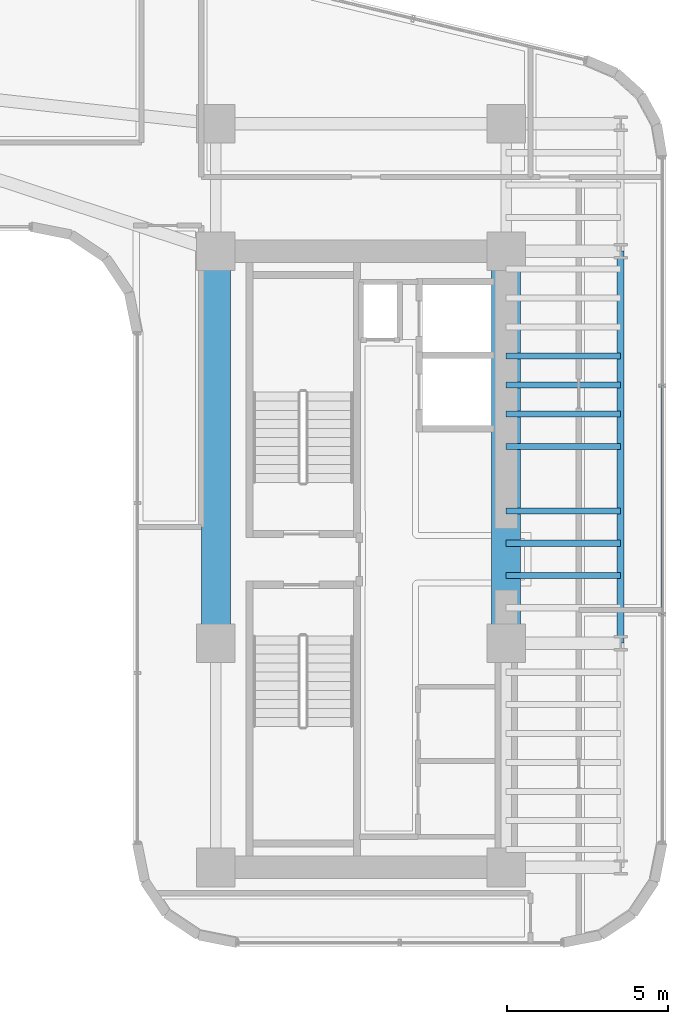
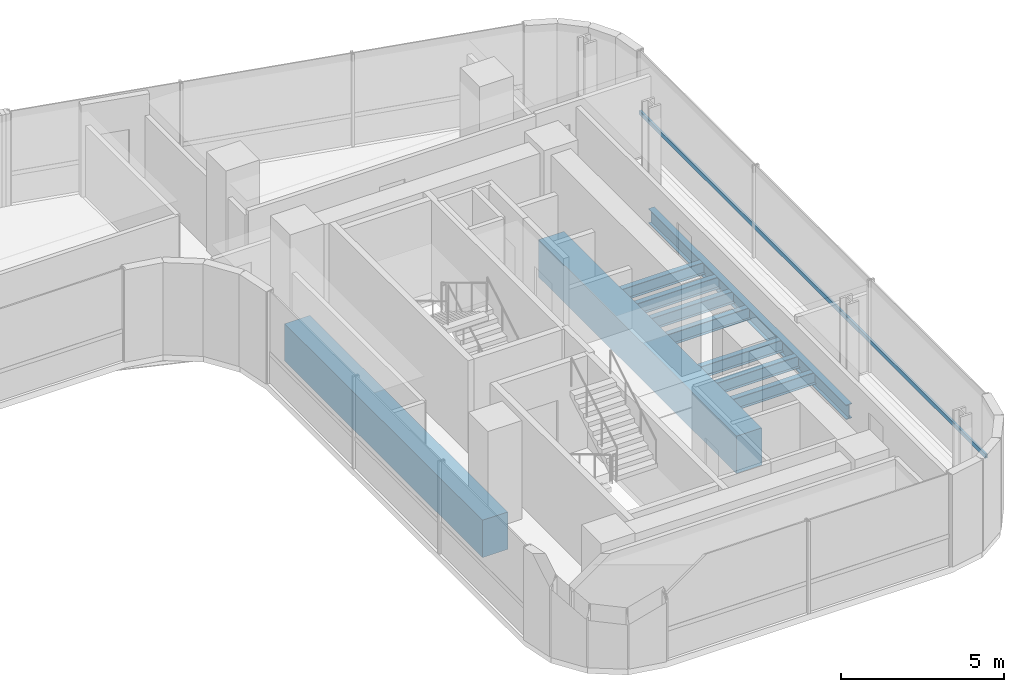
# One storey, part 16 of 34: 10 beams, 1 member, 1 element without a shape of its own.
"""IFC4 building model written with IfcOpenShell, lengths in metres."""

from ifc_helpers import new_model, si_unit, direction, frame, origin, origin_2d, place, context, subcontext, project, spatial, rectangle, hollow_rectangle, i_section, extrude, source, transform, mapped, material, material_profile, profile_set, type_object, element, aggregate, save


model = new_model("IFC4")

# Units and contexts
model_context = context("Model", 3, precision=1e-05, world=origin(), true_north=direction((0.0, 1.0)))
body_context = subcontext(model_context, "Body", "Model", "MODEL_VIEW")
ifc_project = project(units=[si_unit("LENGTHUNIT", "METRE"), si_unit("AREAUNIT", "SQUARE_METRE"), si_unit("VOLUMEUNIT", "CUBIC_METRE"), si_unit("PLANEANGLEUNIT", "RADIAN"), si_unit("MASSUNIT", "GRAM", prefix="KILO")], contexts=[model_context])

# Site, building, storey
site_placement = place(None, origin())
site = spatial("IfcSite", under=ifc_project, at=site_placement, CompositionType="ELEMENT")
building_placement = place(site_placement, origin())
building = spatial("IfcBuilding", under=site, at=building_placement, Name="Valdorenza Pilgrim Sanctuary Tower", CompositionType="ELEMENT")
storey_placement = place(building_placement, frame((0.0, 0.0, 146.39990234375)))
storey = spatial("IfcBuildingStorey", under=building, at=storey_placement, Name="L37", CompositionType="ELEMENT", Elevation=146.39990234375)

# Beams
ifc_material_1 = material(Name="Concrete C60/75", Category="concrete")
ifc_material_profile_1 = material_profile(ifc_material_1, rectangle(XDim=0.89990234375, YDim=1.39990234375, at=origin_2d()), Name="RC 1400x900")
ifc_profile_set_1 = profile_set([ifc_material_profile_1], Name="Concrete C60/75")
beam_type_1 = type_object("IfcBeamType", Name="STR-BM-LNT-1400", PredefinedType="LINTEL", material=ifc_profile_set_1)
shared_shape_1 = source(origin(), body_context, "Body", "SweptSolid", [
    extrude(rectangle(XDim=0.89990234375, YDim=1.39990234375, at=origin_2d()), origin(), (0.0, 0.0, 1.0), 12.150146484375),
])
for number, where, z_axis, x_axis, name in (
    (1, (15.85009765625, -2.60009765625, -0.739990234375), (0.0, 1.0, 0.0), (-1.0, 0.0, 0.0), "L37 Core B West Coupling Lintel Girder"),
    (2, (24.85009765625, -2.60009765625, -0.739990234375), (0.0, 1.0, 0.0), (-1.0, 0.0, 0.0), "L37 Core B East Coupling Lintel Girder"),
):
    element("IfcBeam", number, at=place(storey_placement, frame(where, z_axis=z_axis, x_axis=x_axis)), inside=storey, type_object=beam_type_1, Name=name, PredefinedType="LINTEL", context=body_context, shape_type="MappedRepresentation", body=[
        mapped(shared_shape_1, transform((0.0, 0.0, 0.0), x_axis=(1.0, 0.0, 0.0), y_axis=(0.0, 1.0, 0.0), z_axis=(0.0, 0.0, 1.0), scale=1.0)),
    ])
ifc_material_2 = material(Name="Steel ASTM A992 Grade 50", Category="steel")
ifc_material_profile_2 = material_profile(ifc_material_2, i_section(OverallWidth=0.214111328125, OverallDepth=0.549072265625, WebThickness=0.0146484375, FlangeThickness=0.023681640625, at=origin_2d()), Name="W21X93")
ifc_profile_set_2 = profile_set([ifc_material_profile_2], Name="Steel ASTM A992 Grade 50")
beam_type_2 = type_object("IfcBeamType", Name="STR-BM-SPN-W21A", PredefinedType="SPANDREL", material=ifc_profile_set_2)
shared_shape_2 = source(origin(), body_context, "Body", "SweptSolid", [
    extrude(i_section(OverallWidth=0.214111328125, OverallDepth=0.549072265625, WebThickness=0.0146484375, FlangeThickness=0.023681640625, at=origin_2d()), origin(), (0.0, 0.0, 1.0), 12.150146484375),
])
beam_placement = place(storey_placement, frame((28.39990234375, -2.60009765625, -0.514404296875), z_axis=(0.0, 1.0, 0.0), x_axis=(-1.0, 0.0, 0.0)))
element("IfcBeam", 3, at=beam_placement, inside=storey, type_object=beam_type_2, Name="L37 Spandrel Beam WB-E-M0N1", PredefinedType="SPANDREL", context=body_context, shape_type="MappedRepresentation", body=[
    mapped(shared_shape_2, transform((0.0, 0.0, 0.0), x_axis=(1.0, 0.0, 0.0), y_axis=(0.0, 1.0, 0.0), z_axis=(0.0, 0.0, 1.0), scale=1.0)),
])
ifc_material_profile_3 = material_profile(ifc_material_2, i_section(OverallWidth=0.19091796875, OverallDepth=0.45703125, WebThickness=0.009033203125, FlangeThickness=0.014404296875, at=origin_2d()), Name="W18X50")
ifc_profile_set_3 = profile_set([ifc_material_profile_3], Name="Steel ASTM A992 Grade 50")
beam_type_3 = type_object("IfcBeamType", Name="STR-BM-JST-W18B", PredefinedType="JOIST", material=ifc_profile_set_3)
shared_shape_3 = source(origin(), body_context, "Body", "SweptSolid", [
    extrude(i_section(OverallWidth=0.19091796875, OverallDepth=0.45703125, WebThickness=0.009033203125, FlangeThickness=0.014404296875, at=origin_2d()), origin(), (0.0, 0.0, 1.0), 3.5498046875),
])
for number, where, z_axis, x_axis, name in (
    (4, (24.85009765625, -0.5, -0.468505859375), (1.0, 0.0, 0.0), (0.0, 1.0, 0.0), "L37 Composite Floor Joist JST-WB-9"),
    (5, (24.85009765625, 0.5, -0.468505859375), (1.0, 0.0, 0.0), (0.0, 1.0, 0.0), "L37 Composite Floor Joist JST-WB-10"),
    (6, (24.85009765625, 1.5, -0.468505859375), (1.0, 0.0, 0.0), (0.0, 1.0, 0.0), "L37 Composite Floor Joist JST-WB-11"),
    (7, (24.85009765625, 3.5, -0.468505859375), (1.0, 0.0, 0.0), (0.0, 1.0, 0.0), "L37 Composite Floor Joist JST-WB-12"),
    (8, (24.85009765625, 4.5, -0.468505859375), (1.0, 0.0, 0.0), (0.0, 1.0, 0.0), "L37 Composite Floor Joist JST-WB-13"),
    (9, (24.85009765625, 5.39990234375, -0.468505859375), (1.0, 0.0, 0.0), (0.0, 1.0, 0.0), "L37 Composite Floor Joist JST-WB-14"),
    (10, (24.85009765625, 6.300048828125, -0.468505859375), (1.0, 0.0, 0.0), (0.0, 1.0, 0.0), "L37 Composite Floor Joist JST-WB-15"),
):
    element("IfcBeam", number, at=place(storey_placement, frame(where, z_axis=z_axis, x_axis=x_axis)), inside=storey, type_object=beam_type_3, Name=name, PredefinedType="JOIST", context=body_context, shape_type="MappedRepresentation", body=[
        mapped(shared_shape_3, transform((0.0, 0.0, 0.0), x_axis=(1.0, 0.0, 0.0), y_axis=(0.0, 1.0, 0.0), z_axis=(0.0, 0.0, 1.0), scale=1.0)),
    ])

# Curtain wall, member
ifc_material_3 = material(Name="Curtain-wall IGU glazing", Category="glass")
curtain_wall_type = type_object("IfcCurtainWallType", Name="CW-SYS-03", PredefinedType="NOTDEFINED", material=ifc_material_3)
curtain_wall_placement = place(storey_placement, origin())
curtain_wall = element("IfcCurtainWall", 11, at=curtain_wall_placement, inside=storey, type_object=curtain_wall_type, Name="L37 Curtain Wall CW-L37-1-21", PredefinedType="NOTDEFINED")
ifc_material_4 = material(Name="Anodised aluminium AW-6060", Category="aluminium")
ifc_material_profile_4 = material_profile(ifc_material_4, hollow_rectangle(XDim=0.074951171875, YDim=0.159912109375, WallThickness=0.00390625, at=origin_2d()), Name="ALU-T 160x75x4")
ifc_profile_set_4 = profile_set([ifc_material_profile_4], Name="Anodised aluminium AW-6060")
member_type = type_object("IfcMemberType", Name="CW-TRN-03", PredefinedType="USERDEFINED", material=ifc_profile_set_4)
shared_shape_4 = source(origin(), body_context, "Body", "SweptSolid", [
    extrude(hollow_rectangle(XDim=0.074951171875, YDim=0.159912109375, WallThickness=0.00390625, at=origin_2d()), origin(), (0.0, 0.0, 1.0), 21.255615234375),
])
member_placement = place(storey_placement, frame((29.68994140625, 12.46630859375, 1.1201171875), z_axis=(0.0, -1.0, 0.0), x_axis=(1.0, 0.0, 0.0)))
member = element("IfcMember", 12, at=member_placement, type_object=member_type, Name="CW-L37-1-21 Transom 1", ObjectType="TRANSOM", PredefinedType="USERDEFINED", context=body_context, shape_type="MappedRepresentation", body=[
    mapped(shared_shape_4, transform((0.0, 0.0, 0.0), x_axis=(1.0, 0.0, 0.0), y_axis=(0.0, 1.0, 0.0), z_axis=(0.0, 0.0, 1.0), scale=1.0)),
])
aggregate(curtain_wall, [member])

save(model, "model.ifc")
